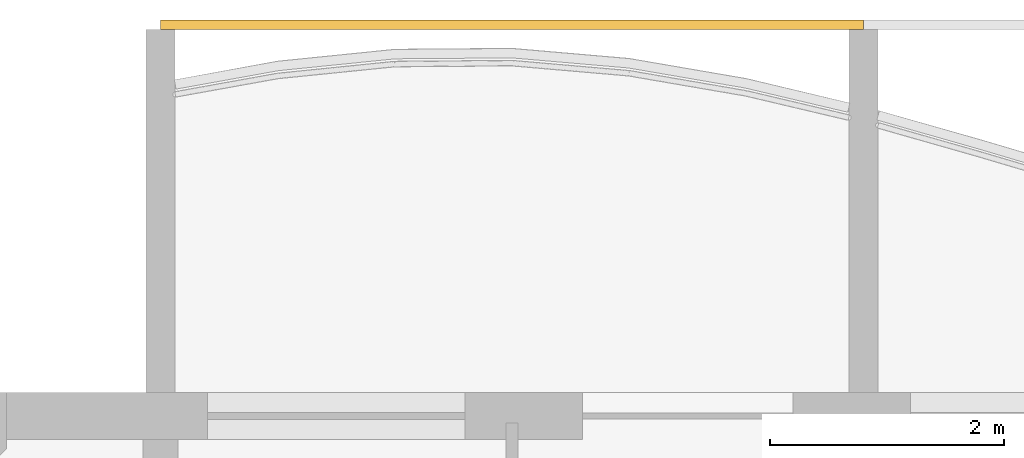
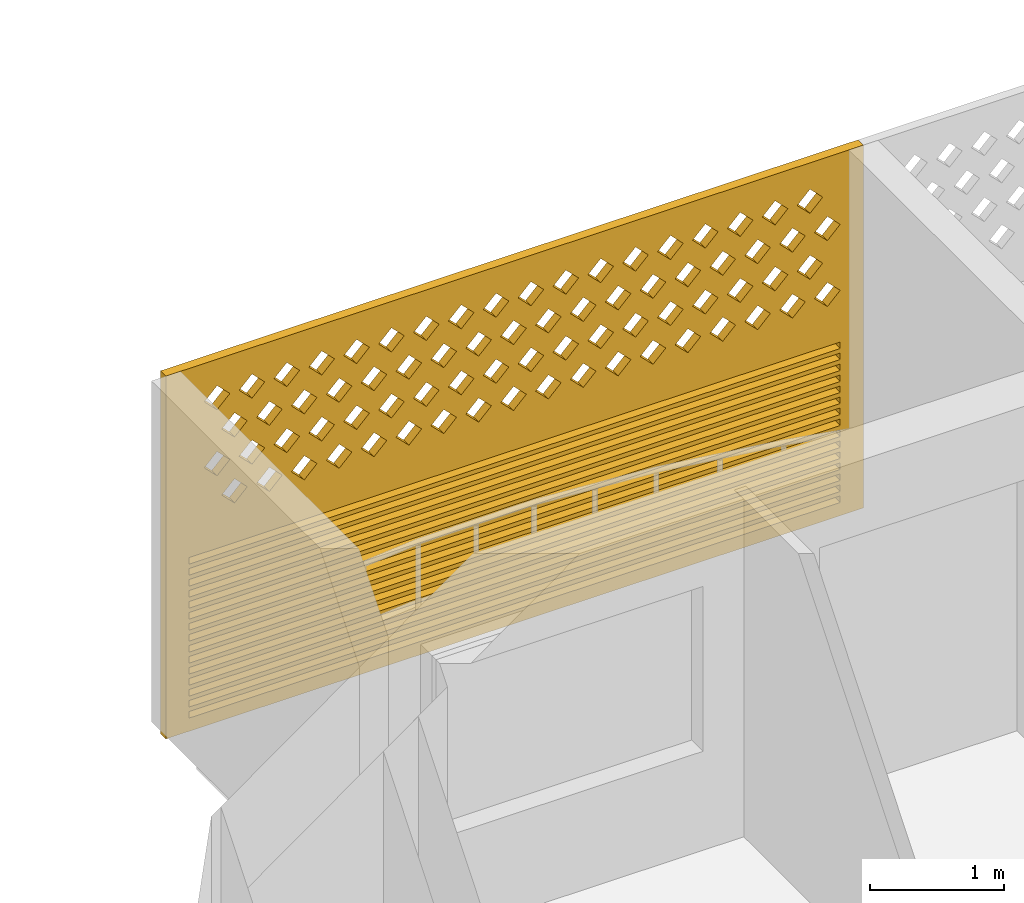
# One storey, part 18 of 32: 1 covering.
"""IFC4 building model written with IfcOpenShell, lengths in metres."""

import ifcopenshell
import ifcopenshell.guid

model = None  # the IFC model being written
_history = None  # IfcOwnerHistory: only IFC2X3 demands one
_inside = {}  # id of a spatial element -> (the spatial element, [elements in it])
_under = {}  # id of a project, library or spatial element -> (it, [spatial elements below it])
_declared = {}  # id of a project -> (the project, [libraries it declares])
_typed = {}  # id of a type object -> (the type object, [elements of that type])
_made_of = {}  # id of a material, layer set ... -> (it, [elements and type objects made of it])


def new_model(schema):
    """Start an empty IFC model of exactly this schema.

    Asked for "IFC4X3", IfcOpenShell would pick the latest addendum, in which some entities
    have other attributes; the version numbers below select the first issue.
    IFC2X3 requires an IfcOwnerHistory on every rooted entity: one is made here for all.
    """
    global model, _history
    if schema == "IFC4X3":
        model = ifcopenshell.file(schema_version=(4, 3, 0, 0))
    else:
        model = ifcopenshell.file(schema=schema)
    _inside.clear()
    _under.clear()
    _declared.clear()
    _typed.clear()
    _made_of.clear()
    _history = None
    if model.schema == "IFC2X3":
        org = make("IfcOrganization", Name="unknown")
        user = make(
            "IfcPersonAndOrganization",
            ThePerson=make("IfcPerson", FamilyName="unknown"),
            TheOrganization=org,
        )
        app = make(
            "IfcApplication",
            ApplicationDeveloper=org,
            Version="unknown",
            ApplicationFullName="unknown",
            ApplicationIdentifier="unknown",
        )
        _history = make(
            "IfcOwnerHistory",
            OwningUser=user,
            OwningApplication=app,
            ChangeAction="ADDED",
            CreationDate=0,
        )
    return model


def make(cls, **values):
    """One entity of the class cls with the attributes given. An attribute that is None is left unset."""
    return model.create_entity(
        cls, **{name: value for name, value in values.items() if value is not None}
    )


def rooted(cls, **values):
    """An entity with a GlobalId (a new one), such as an element, a storey or a relation."""
    return make(cls, GlobalId=ifcopenshell.guid.new(), OwnerHistory=_history, **values)


def si_unit(unit_type, name, prefix=None):
    """IfcSIUnit, for example si_unit("LENGTHUNIT", "METRE", prefix="MILLI")."""
    return make("IfcSIUnit", UnitType=unit_type, Prefix=prefix, Name=name)


def assignment(units):
    """IfcUnitAssignment: the units of a project."""
    return None if units is None else make("IfcUnitAssignment", Units=units)


def point(xyz):
    """IfcCartesianPoint."""
    return None if xyz is None else make("IfcCartesianPoint", Coordinates=xyz)


def direction(xyz):
    """IfcDirection."""
    return None if xyz is None else make("IfcDirection", DirectionRatios=xyz)


def frame(location, z_axis=None, x_axis=None):
    """IfcAxis2Placement3D, a coordinate frame: its origin and axes. An axis left out is left unset."""
    return make(
        "IfcAxis2Placement3D",
        Location=point(location),
        Axis=direction(z_axis),
        RefDirection=direction(x_axis),
    )


def origin():
    """The frame at (0, 0, 0) with its axes left unset."""
    return frame((0.0, 0.0, 0.0))


def place(relative_to, where):
    """IfcLocalPlacement: puts the frame where relative to a parent placement (None: the world)."""
    return make(
        "IfcLocalPlacement", PlacementRelTo=relative_to, RelativePlacement=where
    )


def context(
    kind, dimensions, precision=None, world=None, true_north=None, identifier=None
):
    """IfcGeometricRepresentationContext, for example the 3D "Model" context."""
    return make(
        "IfcGeometricRepresentationContext",
        ContextIdentifier=identifier,
        ContextType=kind,
        CoordinateSpaceDimension=dimensions,
        Precision=precision,
        WorldCoordinateSystem=world,
        TrueNorth=true_north,
    )


def subcontext(parent, identifier, kind, view, scale=None):
    """IfcGeometricRepresentationSubContext, for example "Body" below "Model"."""
    return make(
        "IfcGeometricRepresentationSubContext",
        ContextIdentifier=identifier,
        ContextType=kind,
        ParentContext=parent,
        TargetScale=scale,
        TargetView=view,
    )


def project(units=None, contexts=None):
    """IfcProject with its units and contexts."""
    return rooted(
        "IfcProject",
        Name="project",
        RepresentationContexts=contexts,
        UnitsInContext=assignment(units),
    )


def spatial(cls, under=None, at=None, **own):
    """A site, building, storey or space (cls), placed at a placement, below another one or the project."""
    s = rooted(cls, ObjectPlacement=at, **own)
    if under is not None:
        _under.setdefault(under.id(), (under, []))[1].append(s)
    return s


def polyline(points):
    """IfcPolyline through the points."""
    return make("IfcPolyline", Points=[point(p) for p in points])


def outline(outer, holes=None, kind="AREA"):
    """IfcArbitraryClosedProfileDef: a profile drawn as a closed curve; with holes, ...WithVoids."""
    if holes is None:
        return make("IfcArbitraryClosedProfileDef", ProfileType=kind, OuterCurve=outer)
    return make(
        "IfcArbitraryProfileDefWithVoids",
        ProfileType=kind,
        OuterCurve=outer,
        InnerCurves=holes,
    )


def extrude(swept, where, along, depth):
    """IfcExtrudedAreaSolid: the profile swept, set in the frame where, extruded along a direction by depth."""
    return make(
        "IfcExtrudedAreaSolid",
        SweptArea=swept,
        Position=where,
        ExtrudedDirection=direction(along),
        Depth=depth,
    )


def shape(context_of_items, identifier, shape_type, items):
    """IfcShapeRepresentation: the items that make up one representation, for example the "Body"."""
    return make(
        "IfcShapeRepresentation",
        ContextOfItems=context_of_items,
        RepresentationIdentifier=identifier,
        RepresentationType=shape_type,
        Items=items,
    )


def source(mapping_origin, context_of_items, identifier, shape_type, items):
    """IfcRepresentationMap: a shape defined once, which mapped items show again and again."""
    return make(
        "IfcRepresentationMap",
        MappingOrigin=mapping_origin,
        MappedRepresentation=shape(context_of_items, identifier, shape_type, items),
    )


def transform(
    local_origin,
    x_axis=None,
    y_axis=None,
    z_axis=None,
    scale=None,
    scale2=None,
    scale3=None,
    uniform=True,
):
    """IfcCartesianTransformationOperator3D, or its non-uniform kind. x_axis, y_axis, z_axis: its Axis1, 2, 3."""
    if uniform:
        return make(
            "IfcCartesianTransformationOperator3D",
            Axis1=direction(x_axis),
            Axis2=direction(y_axis),
            LocalOrigin=point(local_origin),
            Scale=scale,
            Axis3=direction(z_axis),
        )
    return make(
        "IfcCartesianTransformationOperator3DnonUniform",
        Axis1=direction(x_axis),
        Axis2=direction(y_axis),
        LocalOrigin=point(local_origin),
        Scale=scale,
        Axis3=direction(z_axis),
        Scale2=scale2,
        Scale3=scale3,
    )


def mapped(mapping_source, mapping_target):
    """IfcMappedItem: shows the shape of a source again, moved by a transform."""
    return make(
        "IfcMappedItem", MappingSource=mapping_source, MappingTarget=mapping_target
    )


def material(Name=None, Category=None):
    """IfcMaterial."""
    return make("IfcMaterial", Name=Name, Category=Category)


def material_profile(
    of_material, cross_section, Name=None, Category=None, Priority=None
):
    """IfcMaterialProfile: a cross section and its material."""
    return make(
        "IfcMaterialProfile",
        Name=Name,
        Material=of_material,
        Profile=cross_section,
        Priority=Priority,
        Category=Category,
    )


def profile_set(profiles, Name=None, composite=None):
    """IfcMaterialProfileSet."""
    return make(
        "IfcMaterialProfileSet",
        Name=Name,
        MaterialProfiles=profiles,
        CompositeProfile=composite,
    )


def made_of(thing, what):
    """Note that an element or type object is made of a material, layer set ...; save() writes the relation."""
    if what is not None:
        _made_of.setdefault(what.id(), (what, []))[1].append(thing)
    return thing


def type_object(cls, material=None, **own):
    """A type object (cls), such as IfcWallType, which elements share."""
    return made_of(rooted(cls, **own), material)


def element(
    cls,
    number,
    at=None,
    inside=None,
    cuts=None,
    type_object=None,
    material=None,
    context=None,
    identifier="Body",
    shape_type=None,
    held_by="IfcProductDefinitionShape",
    body=None,
    shapes=None,
    **own,
):
    """One element of the class cls, such as IfcWall. Its Tag is "e" and its number.

    at: its placement. inside: the storey or other place that contains it. cuts: it is an
    opening in that element (IfcRelVoidsElement). A single representation is given by context,
    identifier, shape_type and body (its items); several are given by shapes. held_by: the class
    of the entity that holds the representations. save() writes the other relations.
    """
    e = rooted(cls, Tag="e%d" % number, ObjectPlacement=at, **own)
    if body is not None:
        shapes = [shape(context, identifier, shape_type, body)]
    if shapes is not None:
        e.Representation = make(held_by, Representations=shapes)
    if inside is not None:
        _inside.setdefault(inside.id(), (inside, []))[1].append(e)
    if cuts is not None:
        rooted(
            "IfcRelVoidsElement", RelatingBuildingElement=cuts, RelatedOpeningElement=e
        )
    if type_object is not None:
        _typed.setdefault(type_object.id(), (type_object, []))[1].append(e)
    return made_of(e, material)


def aggregate(whole, parts):
    """IfcRelAggregates: a whole, such as a stair, and the parts it consists of."""
    return rooted("IfcRelAggregates", RelatingObject=whole, RelatedObjects=parts)


def save(model, path):
    """Write the relations noted so far, then the file.

    IfcRelAggregates (storeys below a building ...), IfcRelContainedInSpatialStructure (elements
    in a storey), IfcRelDefinesByType, IfcRelAssociatesMaterial and IfcRelDeclares: one each for
    every whole, place, type object, material and project.
    """
    for whole, parts in _under.values():
        aggregate(whole, parts)
    for where, things in _inside.values():
        rooted(
            "IfcRelContainedInSpatialStructure",
            RelatedElements=things,
            RelatingStructure=where,
        )
    for kind, things in _typed.values():
        rooted("IfcRelDefinesByType", RelatedObjects=things, RelatingType=kind)
    for what, things in _made_of.values():
        rooted("IfcRelAssociatesMaterial", RelatedObjects=things, RelatingMaterial=what)
    for by, libraries in _declared.values():
        rooted("IfcRelDeclares", RelatingContext=by, RelatedDefinitions=libraries)
    model.write(path)


model = new_model("IFC4")

# Units and contexts
model_context = context("Model", 3, precision=1e-05, world=origin(), true_north=direction((0.0, 1.0)))
body_context = subcontext(model_context, "Body", "Model", "MODEL_VIEW")
ifc_project = project(units=[si_unit("LENGTHUNIT", "METRE"), si_unit("AREAUNIT", "SQUARE_METRE"), si_unit("VOLUMEUNIT", "CUBIC_METRE"), si_unit("PLANEANGLEUNIT", "RADIAN"), si_unit("MASSUNIT", "GRAM", prefix="KILO")], contexts=[model_context])

# Site, building, storey
site_placement = place(None, origin())
site = spatial("IfcSite", under=ifc_project, at=site_placement, CompositionType="ELEMENT")
building_placement = place(site_placement, origin())
building = spatial("IfcBuilding", under=site, at=building_placement, Name="Poui Terraces", CompositionType="ELEMENT")
storey_placement = place(building_placement, frame((0.0, 0.0, 125.699951171875)))
storey = spatial("IfcBuildingStorey", under=building, at=storey_placement, Name="L34", CompositionType="ELEMENT", Elevation=125.699951171875)

# Covering
ifc_material = material(Name="Terracotta screen", Category="masonry")
ifc_material_profile = material_profile(ifc_material, outline(polyline([(-3.0, -1.64990234375), (3.0, -1.64990234375), (3.0, 1.64990234375), (-3.0, 1.64990234375), (-3.0, -1.64990234375)]), holes=[polyline([(-2.800048828125, 0.39990234375), (-2.68994140625, 0.2900390625), (-2.580078125, 0.39990234375), (-2.68994140625, 0.510009765625), (-2.800048828125, 0.39990234375)]), polyline([(-2.5, 0.39990234375), (-2.389892578125, 0.2900390625), (-2.280029296875, 0.39990234375), (-2.389892578125, 0.510009765625), (-2.5, 0.39990234375)]), polyline([(-2.199951171875, 0.39990234375), (-2.090087890625, 0.2900390625), (-1.97998046875, 0.39990234375), (-2.090087890625, 0.510009765625), (-2.199951171875, 0.39990234375)]), polyline([(-1.89990234375, 0.39990234375), (-1.7900390625, 0.2900390625), (-1.679931640625, 0.39990234375), (-1.7900390625, 0.510009765625), (-1.89990234375, 0.39990234375)]), polyline([(-1.60009765625, 0.39990234375), (-1.489990234375, 0.2900390625), (-1.3798828125, 0.39990234375), (-1.489990234375, 0.510009765625), (-1.60009765625, 0.39990234375)]), polyline([(-1.300048828125, 0.39990234375), (-1.18994140625, 0.2900390625), (-1.080078125, 0.39990234375), (-1.18994140625, 0.510009765625), (-1.300048828125, 0.39990234375)]), polyline([(-1.0, 0.39990234375), (-0.889892578125, 0.2900390625), (-0.780029296875, 0.39990234375), (-0.889892578125, 0.510009765625), (-1.0, 0.39990234375)]), polyline([(-0.699951171875, 0.39990234375), (-0.590087890625, 0.2900390625), (-0.47998046875, 0.39990234375), (-0.590087890625, 0.510009765625), (-0.699951171875, 0.39990234375)]), polyline([(-0.39990234375, 0.39990234375), (-0.2900390625, 0.2900390625), (-0.179931640625, 0.39990234375), (-0.2900390625, 0.510009765625), (-0.39990234375, 0.39990234375)]), polyline([(-0.10009765625, 0.39990234375), (0.010009765625, 0.2900390625), (0.1201171875, 0.39990234375), (0.010009765625, 0.510009765625), (-0.10009765625, 0.39990234375)]), polyline([(0.199951171875, 0.39990234375), (0.31005859375, 0.2900390625), (0.419921875, 0.39990234375), (0.31005859375, 0.510009765625), (0.199951171875, 0.39990234375)]), polyline([(0.5, 0.39990234375), (0.610107421875, 0.2900390625), (0.719970703125, 0.39990234375), (0.610107421875, 0.510009765625), (0.5, 0.39990234375)]), polyline([(0.800048828125, 0.39990234375), (0.909912109375, 0.2900390625), (1.02001953125, 0.39990234375), (0.909912109375, 0.510009765625), (0.800048828125, 0.39990234375)]), polyline([(1.10009765625, 0.39990234375), (1.2099609375, 0.2900390625), (1.320068359375, 0.39990234375), (1.2099609375, 0.510009765625), (1.10009765625, 0.39990234375)]), polyline([(1.39990234375, 0.39990234375), (1.510009765625, 0.2900390625), (1.6201171875, 0.39990234375), (1.510009765625, 0.510009765625), (1.39990234375, 0.39990234375)]), polyline([(1.699951171875, 0.39990234375), (1.81005859375, 0.2900390625), (1.919921875, 0.39990234375), (1.81005859375, 0.510009765625), (1.699951171875, 0.39990234375)]), polyline([(2.0, 0.39990234375), (2.110107421875, 0.2900390625), (2.219970703125, 0.39990234375), (2.110107421875, 0.510009765625), (2.0, 0.39990234375)]), polyline([(2.300048828125, 0.39990234375), (2.409912109375, 0.2900390625), (2.52001953125, 0.39990234375), (2.409912109375, 0.510009765625), (2.300048828125, 0.39990234375)]), polyline([(-2.64990234375, 0.699951171875), (-2.5400390625, 0.590087890625), (-2.429931640625, 0.699951171875), (-2.5400390625, 0.81005859375), (-2.64990234375, 0.699951171875)]), polyline([(-2.35009765625, 0.699951171875), (-2.239990234375, 0.590087890625), (-2.1298828125, 0.699951171875), (-2.239990234375, 0.81005859375), (-2.35009765625, 0.699951171875)]), polyline([(-2.050048828125, 0.699951171875), (-1.93994140625, 0.590087890625), (-1.830078125, 0.699951171875), (-1.93994140625, 0.81005859375), (-2.050048828125, 0.699951171875)]), polyline([(-1.75, 0.699951171875), (-1.639892578125, 0.590087890625), (-1.530029296875, 0.699951171875), (-1.639892578125, 0.81005859375), (-1.75, 0.699951171875)]), polyline([(-1.449951171875, 0.699951171875), (-1.340087890625, 0.590087890625), (-1.22998046875, 0.699951171875), (-1.340087890625, 0.81005859375), (-1.449951171875, 0.699951171875)]), polyline([(-1.14990234375, 0.699951171875), (-1.0400390625, 0.590087890625), (-0.929931640625, 0.699951171875), (-1.0400390625, 0.81005859375), (-1.14990234375, 0.699951171875)]), polyline([(-0.85009765625, 0.699951171875), (-0.739990234375, 0.590087890625), (-0.6298828125, 0.699951171875), (-0.739990234375, 0.81005859375), (-0.85009765625, 0.699951171875)]), polyline([(-0.550048828125, 0.699951171875), (-0.43994140625, 0.590087890625), (-0.330078125, 0.699951171875), (-0.43994140625, 0.81005859375), (-0.550048828125, 0.699951171875)]), polyline([(-0.25, 0.699951171875), (-0.139892578125, 0.590087890625), (-0.030029296875, 0.699951171875), (-0.139892578125, 0.81005859375), (-0.25, 0.699951171875)]), polyline([(0.050048828125, 0.699951171875), (0.159912109375, 0.590087890625), (0.27001953125, 0.699951171875), (0.159912109375, 0.81005859375), (0.050048828125, 0.699951171875)]), polyline([(0.35009765625, 0.699951171875), (0.4599609375, 0.590087890625), (0.570068359375, 0.699951171875), (0.4599609375, 0.81005859375), (0.35009765625, 0.699951171875)]), polyline([(0.64990234375, 0.699951171875), (0.760009765625, 0.590087890625), (0.8701171875, 0.699951171875), (0.760009765625, 0.81005859375), (0.64990234375, 0.699951171875)]), polyline([(0.949951171875, 0.699951171875), (1.06005859375, 0.590087890625), (1.169921875, 0.699951171875), (1.06005859375, 0.81005859375), (0.949951171875, 0.699951171875)]), polyline([(1.25, 0.699951171875), (1.360107421875, 0.590087890625), (1.469970703125, 0.699951171875), (1.360107421875, 0.81005859375), (1.25, 0.699951171875)]), polyline([(1.550048828125, 0.699951171875), (1.659912109375, 0.590087890625), (1.77001953125, 0.699951171875), (1.659912109375, 0.81005859375), (1.550048828125, 0.699951171875)]), polyline([(1.85009765625, 0.699951171875), (1.9599609375, 0.590087890625), (2.070068359375, 0.699951171875), (1.9599609375, 0.81005859375), (1.85009765625, 0.699951171875)]), polyline([(2.14990234375, 0.699951171875), (2.260009765625, 0.590087890625), (2.3701171875, 0.699951171875), (2.260009765625, 0.81005859375), (2.14990234375, 0.699951171875)]), polyline([(2.449951171875, 0.699951171875), (2.56005859375, 0.590087890625), (2.669921875, 0.699951171875), (2.56005859375, 0.81005859375), (2.449951171875, 0.699951171875)]), polyline([(-2.800048828125, 1.0), (-2.68994140625, 0.889892578125), (-2.580078125, 1.0), (-2.68994140625, 1.110107421875), (-2.800048828125, 1.0)]), polyline([(-2.5, 1.0), (-2.389892578125, 0.889892578125), (-2.280029296875, 1.0), (-2.389892578125, 1.110107421875), (-2.5, 1.0)]), polyline([(-2.199951171875, 1.0), (-2.090087890625, 0.889892578125), (-1.97998046875, 1.0), (-2.090087890625, 1.110107421875), (-2.199951171875, 1.0)]), polyline([(-1.89990234375, 1.0), (-1.7900390625, 0.889892578125), (-1.679931640625, 1.0), (-1.7900390625, 1.110107421875), (-1.89990234375, 1.0)]), polyline([(-1.60009765625, 1.0), (-1.489990234375, 0.889892578125), (-1.3798828125, 1.0), (-1.489990234375, 1.110107421875), (-1.60009765625, 1.0)]), polyline([(-1.300048828125, 1.0), (-1.18994140625, 0.889892578125), (-1.080078125, 1.0), (-1.18994140625, 1.110107421875), (-1.300048828125, 1.0)]), polyline([(-1.0, 1.0), (-0.889892578125, 0.889892578125), (-0.780029296875, 1.0), (-0.889892578125, 1.110107421875), (-1.0, 1.0)]), polyline([(-0.699951171875, 1.0), (-0.590087890625, 0.889892578125), (-0.47998046875, 1.0), (-0.590087890625, 1.110107421875), (-0.699951171875, 1.0)]), polyline([(-0.39990234375, 1.0), (-0.2900390625, 0.889892578125), (-0.179931640625, 1.0), (-0.2900390625, 1.110107421875), (-0.39990234375, 1.0)]), polyline([(-0.10009765625, 1.0), (0.010009765625, 0.889892578125), (0.1201171875, 1.0), (0.010009765625, 1.110107421875), (-0.10009765625, 1.0)]), polyline([(0.199951171875, 1.0), (0.31005859375, 0.889892578125), (0.419921875, 1.0), (0.31005859375, 1.110107421875), (0.199951171875, 1.0)]), polyline([(0.5, 1.0), (0.610107421875, 0.889892578125), (0.719970703125, 1.0), (0.610107421875, 1.110107421875), (0.5, 1.0)]), polyline([(0.800048828125, 1.0), (0.909912109375, 0.889892578125), (1.02001953125, 1.0), (0.909912109375, 1.110107421875), (0.800048828125, 1.0)]), polyline([(1.10009765625, 1.0), (1.2099609375, 0.889892578125), (1.320068359375, 1.0), (1.2099609375, 1.110107421875), (1.10009765625, 1.0)]), polyline([(1.39990234375, 1.0), (1.510009765625, 0.889892578125), (1.6201171875, 1.0), (1.510009765625, 1.110107421875), (1.39990234375, 1.0)]), polyline([(1.699951171875, 1.0), (1.81005859375, 0.889892578125), (1.919921875, 1.0), (1.81005859375, 1.110107421875), (1.699951171875, 1.0)]), polyline([(2.0, 1.0), (2.110107421875, 0.889892578125), (2.219970703125, 1.0), (2.110107421875, 1.110107421875), (2.0, 1.0)]), polyline([(2.300048828125, 1.0), (2.409912109375, 0.889892578125), (2.52001953125, 1.0), (2.409912109375, 1.110107421875), (2.300048828125, 1.0)]), polyline([(-2.64990234375, 1.300048828125), (-2.5400390625, 1.18994140625), (-2.429931640625, 1.300048828125), (-2.5400390625, 1.409912109375), (-2.64990234375, 1.300048828125)]), polyline([(-2.35009765625, 1.300048828125), (-2.239990234375, 1.18994140625), (-2.1298828125, 1.300048828125), (-2.239990234375, 1.409912109375), (-2.35009765625, 1.300048828125)]), polyline([(-2.050048828125, 1.300048828125), (-1.93994140625, 1.18994140625), (-1.830078125, 1.300048828125), (-1.93994140625, 1.409912109375), (-2.050048828125, 1.300048828125)]), polyline([(-1.75, 1.300048828125), (-1.639892578125, 1.18994140625), (-1.530029296875, 1.300048828125), (-1.639892578125, 1.409912109375), (-1.75, 1.300048828125)]), polyline([(-1.449951171875, 1.300048828125), (-1.340087890625, 1.18994140625), (-1.22998046875, 1.300048828125), (-1.340087890625, 1.409912109375), (-1.449951171875, 1.300048828125)]), polyline([(-1.14990234375, 1.300048828125), (-1.0400390625, 1.18994140625), (-0.929931640625, 1.300048828125), (-1.0400390625, 1.409912109375), (-1.14990234375, 1.300048828125)]), polyline([(-0.85009765625, 1.300048828125), (-0.739990234375, 1.18994140625), (-0.6298828125, 1.300048828125), (-0.739990234375, 1.409912109375), (-0.85009765625, 1.300048828125)]), polyline([(-0.550048828125, 1.300048828125), (-0.43994140625, 1.18994140625), (-0.330078125, 1.300048828125), (-0.43994140625, 1.409912109375), (-0.550048828125, 1.300048828125)]), polyline([(-0.25, 1.300048828125), (-0.139892578125, 1.18994140625), (-0.030029296875, 1.300048828125), (-0.139892578125, 1.409912109375), (-0.25, 1.300048828125)]), polyline([(0.050048828125, 1.300048828125), (0.159912109375, 1.18994140625), (0.27001953125, 1.300048828125), (0.159912109375, 1.409912109375), (0.050048828125, 1.300048828125)]), polyline([(0.35009765625, 1.300048828125), (0.4599609375, 1.18994140625), (0.570068359375, 1.300048828125), (0.4599609375, 1.409912109375), (0.35009765625, 1.300048828125)]), polyline([(0.64990234375, 1.300048828125), (0.760009765625, 1.18994140625), (0.8701171875, 1.300048828125), (0.760009765625, 1.409912109375), (0.64990234375, 1.300048828125)]), polyline([(0.949951171875, 1.300048828125), (1.06005859375, 1.18994140625), (1.169921875, 1.300048828125), (1.06005859375, 1.409912109375), (0.949951171875, 1.300048828125)]), polyline([(1.25, 1.300048828125), (1.360107421875, 1.18994140625), (1.469970703125, 1.300048828125), (1.360107421875, 1.409912109375), (1.25, 1.300048828125)]), polyline([(1.550048828125, 1.300048828125), (1.659912109375, 1.18994140625), (1.77001953125, 1.300048828125), (1.659912109375, 1.409912109375), (1.550048828125, 1.300048828125)]), polyline([(1.85009765625, 1.300048828125), (1.9599609375, 1.18994140625), (2.070068359375, 1.300048828125), (1.9599609375, 1.409912109375), (1.85009765625, 1.300048828125)]), polyline([(2.14990234375, 1.300048828125), (2.260009765625, 1.18994140625), (2.3701171875, 1.300048828125), (2.260009765625, 1.409912109375), (2.14990234375, 1.300048828125)]), polyline([(2.449951171875, 1.300048828125), (2.56005859375, 1.18994140625), (2.669921875, 1.300048828125), (2.56005859375, 1.409912109375), (2.449951171875, 1.300048828125)]), polyline([(-2.800048828125, -1.530029296875), (2.800048828125, -1.530029296875), (2.800048828125, -1.469970703125), (-2.800048828125, -1.469970703125), (-2.800048828125, -1.530029296875)]), polyline([(-2.800048828125, -1.429931640625), (2.800048828125, -1.429931640625), (2.800048828125, -1.3701171875), (-2.800048828125, -1.3701171875), (-2.800048828125, -1.429931640625)]), polyline([(-2.800048828125, -1.330078125), (2.800048828125, -1.330078125), (2.800048828125, -1.27001953125), (-2.800048828125, -1.27001953125), (-2.800048828125, -1.330078125)]), polyline([(-2.800048828125, -1.22998046875), (2.800048828125, -1.22998046875), (2.800048828125, -1.169921875), (-2.800048828125, -1.169921875), (-2.800048828125, -1.22998046875)]), polyline([(-2.800048828125, -1.1298828125), (2.800048828125, -1.1298828125), (2.800048828125, -1.070068359375), (-2.800048828125, -1.070068359375), (-2.800048828125, -1.1298828125)]), polyline([(-2.800048828125, -1.030029296875), (2.800048828125, -1.030029296875), (2.800048828125, -0.969970703125), (-2.800048828125, -0.969970703125), (-2.800048828125, -1.030029296875)]), polyline([(-2.800048828125, -0.929931640625), (2.800048828125, -0.929931640625), (2.800048828125, -0.8701171875), (-2.800048828125, -0.8701171875), (-2.800048828125, -0.929931640625)]), polyline([(-2.800048828125, -0.830078125), (2.800048828125, -0.830078125), (2.800048828125, -0.77001953125), (-2.800048828125, -0.77001953125), (-2.800048828125, -0.830078125)]), polyline([(-2.800048828125, -0.72998046875), (2.800048828125, -0.72998046875), (2.800048828125, -0.669921875), (-2.800048828125, -0.669921875), (-2.800048828125, -0.72998046875)]), polyline([(-2.800048828125, -0.6298828125), (2.800048828125, -0.6298828125), (2.800048828125, -0.570068359375), (-2.800048828125, -0.570068359375), (-2.800048828125, -0.6298828125)]), polyline([(-2.800048828125, -0.530029296875), (2.800048828125, -0.530029296875), (2.800048828125, -0.469970703125), (-2.800048828125, -0.469970703125), (-2.800048828125, -0.530029296875)]), polyline([(-2.800048828125, -0.429931640625), (2.800048828125, -0.429931640625), (2.800048828125, -0.3701171875), (-2.800048828125, -0.3701171875), (-2.800048828125, -0.429931640625)]), polyline([(-2.800048828125, -0.330078125), (2.800048828125, -0.330078125), (2.800048828125, -0.27001953125), (-2.800048828125, -0.27001953125), (-2.800048828125, -0.330078125)]), polyline([(-2.800048828125, -0.22998046875), (2.800048828125, -0.22998046875), (2.800048828125, -0.169921875), (-2.800048828125, -0.169921875), (-2.800048828125, -0.22998046875)]), polyline([(-2.800048828125, -0.1298828125), (2.800048828125, -0.1298828125), (2.800048828125, -0.070068359375), (-2.800048828125, -0.070068359375), (-2.800048828125, -0.1298828125)])]), Name="TERRACOTTA SCREEN AND JALOUSIE LOUVRE 6000X3300")
ifc_profile_set = profile_set([ifc_material_profile], Name="Terracotta screen")
covering_type = type_object("IfcCoveringType", Name="TERRACOTTA SCREEN AND JALOUSIE LOUVRE 6000X3300", PredefinedType="CLADDING", material=ifc_profile_set)
shared_shape = source(origin(), body_context, "Body", "SweptSolid", [
    extrude(outline(polyline([(-3.0, -1.64990234375), (3.0, -1.64990234375), (3.0, 1.64990234375), (-3.0, 1.64990234375), (-3.0, -1.64990234375)]), holes=[polyline([(-2.800048828125, 0.39990234375), (-2.68994140625, 0.2900390625), (-2.580078125, 0.39990234375), (-2.68994140625, 0.510009765625), (-2.800048828125, 0.39990234375)]), polyline([(-2.5, 0.39990234375), (-2.389892578125, 0.2900390625), (-2.280029296875, 0.39990234375), (-2.389892578125, 0.510009765625), (-2.5, 0.39990234375)]), polyline([(-2.199951171875, 0.39990234375), (-2.090087890625, 0.2900390625), (-1.97998046875, 0.39990234375), (-2.090087890625, 0.510009765625), (-2.199951171875, 0.39990234375)]), polyline([(-1.89990234375, 0.39990234375), (-1.7900390625, 0.2900390625), (-1.679931640625, 0.39990234375), (-1.7900390625, 0.510009765625), (-1.89990234375, 0.39990234375)]), polyline([(-1.60009765625, 0.39990234375), (-1.489990234375, 0.2900390625), (-1.3798828125, 0.39990234375), (-1.489990234375, 0.510009765625), (-1.60009765625, 0.39990234375)]), polyline([(-1.300048828125, 0.39990234375), (-1.18994140625, 0.2900390625), (-1.080078125, 0.39990234375), (-1.18994140625, 0.510009765625), (-1.300048828125, 0.39990234375)]), polyline([(-1.0, 0.39990234375), (-0.889892578125, 0.2900390625), (-0.780029296875, 0.39990234375), (-0.889892578125, 0.510009765625), (-1.0, 0.39990234375)]), polyline([(-0.699951171875, 0.39990234375), (-0.590087890625, 0.2900390625), (-0.47998046875, 0.39990234375), (-0.590087890625, 0.510009765625), (-0.699951171875, 0.39990234375)]), polyline([(-0.39990234375, 0.39990234375), (-0.2900390625, 0.2900390625), (-0.179931640625, 0.39990234375), (-0.2900390625, 0.510009765625), (-0.39990234375, 0.39990234375)]), polyline([(-0.10009765625, 0.39990234375), (0.010009765625, 0.2900390625), (0.1201171875, 0.39990234375), (0.010009765625, 0.510009765625), (-0.10009765625, 0.39990234375)]), polyline([(0.199951171875, 0.39990234375), (0.31005859375, 0.2900390625), (0.419921875, 0.39990234375), (0.31005859375, 0.510009765625), (0.199951171875, 0.39990234375)]), polyline([(0.5, 0.39990234375), (0.610107421875, 0.2900390625), (0.719970703125, 0.39990234375), (0.610107421875, 0.510009765625), (0.5, 0.39990234375)]), polyline([(0.800048828125, 0.39990234375), (0.909912109375, 0.2900390625), (1.02001953125, 0.39990234375), (0.909912109375, 0.510009765625), (0.800048828125, 0.39990234375)]), polyline([(1.10009765625, 0.39990234375), (1.2099609375, 0.2900390625), (1.320068359375, 0.39990234375), (1.2099609375, 0.510009765625), (1.10009765625, 0.39990234375)]), polyline([(1.39990234375, 0.39990234375), (1.510009765625, 0.2900390625), (1.6201171875, 0.39990234375), (1.510009765625, 0.510009765625), (1.39990234375, 0.39990234375)]), polyline([(1.699951171875, 0.39990234375), (1.81005859375, 0.2900390625), (1.919921875, 0.39990234375), (1.81005859375, 0.510009765625), (1.699951171875, 0.39990234375)]), polyline([(2.0, 0.39990234375), (2.110107421875, 0.2900390625), (2.219970703125, 0.39990234375), (2.110107421875, 0.510009765625), (2.0, 0.39990234375)]), polyline([(2.300048828125, 0.39990234375), (2.409912109375, 0.2900390625), (2.52001953125, 0.39990234375), (2.409912109375, 0.510009765625), (2.300048828125, 0.39990234375)]), polyline([(-2.64990234375, 0.699951171875), (-2.5400390625, 0.590087890625), (-2.429931640625, 0.699951171875), (-2.5400390625, 0.81005859375), (-2.64990234375, 0.699951171875)]), polyline([(-2.35009765625, 0.699951171875), (-2.239990234375, 0.590087890625), (-2.1298828125, 0.699951171875), (-2.239990234375, 0.81005859375), (-2.35009765625, 0.699951171875)]), polyline([(-2.050048828125, 0.699951171875), (-1.93994140625, 0.590087890625), (-1.830078125, 0.699951171875), (-1.93994140625, 0.81005859375), (-2.050048828125, 0.699951171875)]), polyline([(-1.75, 0.699951171875), (-1.639892578125, 0.590087890625), (-1.530029296875, 0.699951171875), (-1.639892578125, 0.81005859375), (-1.75, 0.699951171875)]), polyline([(-1.449951171875, 0.699951171875), (-1.340087890625, 0.590087890625), (-1.22998046875, 0.699951171875), (-1.340087890625, 0.81005859375), (-1.449951171875, 0.699951171875)]), polyline([(-1.14990234375, 0.699951171875), (-1.0400390625, 0.590087890625), (-0.929931640625, 0.699951171875), (-1.0400390625, 0.81005859375), (-1.14990234375, 0.699951171875)]), polyline([(-0.85009765625, 0.699951171875), (-0.739990234375, 0.590087890625), (-0.6298828125, 0.699951171875), (-0.739990234375, 0.81005859375), (-0.85009765625, 0.699951171875)]), polyline([(-0.550048828125, 0.699951171875), (-0.43994140625, 0.590087890625), (-0.330078125, 0.699951171875), (-0.43994140625, 0.81005859375), (-0.550048828125, 0.699951171875)]), polyline([(-0.25, 0.699951171875), (-0.139892578125, 0.590087890625), (-0.030029296875, 0.699951171875), (-0.139892578125, 0.81005859375), (-0.25, 0.699951171875)]), polyline([(0.050048828125, 0.699951171875), (0.159912109375, 0.590087890625), (0.27001953125, 0.699951171875), (0.159912109375, 0.81005859375), (0.050048828125, 0.699951171875)]), polyline([(0.35009765625, 0.699951171875), (0.4599609375, 0.590087890625), (0.570068359375, 0.699951171875), (0.4599609375, 0.81005859375), (0.35009765625, 0.699951171875)]), polyline([(0.64990234375, 0.699951171875), (0.760009765625, 0.590087890625), (0.8701171875, 0.699951171875), (0.760009765625, 0.81005859375), (0.64990234375, 0.699951171875)]), polyline([(0.949951171875, 0.699951171875), (1.06005859375, 0.590087890625), (1.169921875, 0.699951171875), (1.06005859375, 0.81005859375), (0.949951171875, 0.699951171875)]), polyline([(1.25, 0.699951171875), (1.360107421875, 0.590087890625), (1.469970703125, 0.699951171875), (1.360107421875, 0.81005859375), (1.25, 0.699951171875)]), polyline([(1.550048828125, 0.699951171875), (1.659912109375, 0.590087890625), (1.77001953125, 0.699951171875), (1.659912109375, 0.81005859375), (1.550048828125, 0.699951171875)]), polyline([(1.85009765625, 0.699951171875), (1.9599609375, 0.590087890625), (2.070068359375, 0.699951171875), (1.9599609375, 0.81005859375), (1.85009765625, 0.699951171875)]), polyline([(2.14990234375, 0.699951171875), (2.260009765625, 0.590087890625), (2.3701171875, 0.699951171875), (2.260009765625, 0.81005859375), (2.14990234375, 0.699951171875)]), polyline([(2.449951171875, 0.699951171875), (2.56005859375, 0.590087890625), (2.669921875, 0.699951171875), (2.56005859375, 0.81005859375), (2.449951171875, 0.699951171875)]), polyline([(-2.800048828125, 1.0), (-2.68994140625, 0.889892578125), (-2.580078125, 1.0), (-2.68994140625, 1.110107421875), (-2.800048828125, 1.0)]), polyline([(-2.5, 1.0), (-2.389892578125, 0.889892578125), (-2.280029296875, 1.0), (-2.389892578125, 1.110107421875), (-2.5, 1.0)]), polyline([(-2.199951171875, 1.0), (-2.090087890625, 0.889892578125), (-1.97998046875, 1.0), (-2.090087890625, 1.110107421875), (-2.199951171875, 1.0)]), polyline([(-1.89990234375, 1.0), (-1.7900390625, 0.889892578125), (-1.679931640625, 1.0), (-1.7900390625, 1.110107421875), (-1.89990234375, 1.0)]), polyline([(-1.60009765625, 1.0), (-1.489990234375, 0.889892578125), (-1.3798828125, 1.0), (-1.489990234375, 1.110107421875), (-1.60009765625, 1.0)]), polyline([(-1.300048828125, 1.0), (-1.18994140625, 0.889892578125), (-1.080078125, 1.0), (-1.18994140625, 1.110107421875), (-1.300048828125, 1.0)]), polyline([(-1.0, 1.0), (-0.889892578125, 0.889892578125), (-0.780029296875, 1.0), (-0.889892578125, 1.110107421875), (-1.0, 1.0)]), polyline([(-0.699951171875, 1.0), (-0.590087890625, 0.889892578125), (-0.47998046875, 1.0), (-0.590087890625, 1.110107421875), (-0.699951171875, 1.0)]), polyline([(-0.39990234375, 1.0), (-0.2900390625, 0.889892578125), (-0.179931640625, 1.0), (-0.2900390625, 1.110107421875), (-0.39990234375, 1.0)]), polyline([(-0.10009765625, 1.0), (0.010009765625, 0.889892578125), (0.1201171875, 1.0), (0.010009765625, 1.110107421875), (-0.10009765625, 1.0)]), polyline([(0.199951171875, 1.0), (0.31005859375, 0.889892578125), (0.419921875, 1.0), (0.31005859375, 1.110107421875), (0.199951171875, 1.0)]), polyline([(0.5, 1.0), (0.610107421875, 0.889892578125), (0.719970703125, 1.0), (0.610107421875, 1.110107421875), (0.5, 1.0)]), polyline([(0.800048828125, 1.0), (0.909912109375, 0.889892578125), (1.02001953125, 1.0), (0.909912109375, 1.110107421875), (0.800048828125, 1.0)]), polyline([(1.10009765625, 1.0), (1.2099609375, 0.889892578125), (1.320068359375, 1.0), (1.2099609375, 1.110107421875), (1.10009765625, 1.0)]), polyline([(1.39990234375, 1.0), (1.510009765625, 0.889892578125), (1.6201171875, 1.0), (1.510009765625, 1.110107421875), (1.39990234375, 1.0)]), polyline([(1.699951171875, 1.0), (1.81005859375, 0.889892578125), (1.919921875, 1.0), (1.81005859375, 1.110107421875), (1.699951171875, 1.0)]), polyline([(2.0, 1.0), (2.110107421875, 0.889892578125), (2.219970703125, 1.0), (2.110107421875, 1.110107421875), (2.0, 1.0)]), polyline([(2.300048828125, 1.0), (2.409912109375, 0.889892578125), (2.52001953125, 1.0), (2.409912109375, 1.110107421875), (2.300048828125, 1.0)]), polyline([(-2.64990234375, 1.300048828125), (-2.5400390625, 1.18994140625), (-2.429931640625, 1.300048828125), (-2.5400390625, 1.409912109375), (-2.64990234375, 1.300048828125)]), polyline([(-2.35009765625, 1.300048828125), (-2.239990234375, 1.18994140625), (-2.1298828125, 1.300048828125), (-2.239990234375, 1.409912109375), (-2.35009765625, 1.300048828125)]), polyline([(-2.050048828125, 1.300048828125), (-1.93994140625, 1.18994140625), (-1.830078125, 1.300048828125), (-1.93994140625, 1.409912109375), (-2.050048828125, 1.300048828125)]), polyline([(-1.75, 1.300048828125), (-1.639892578125, 1.18994140625), (-1.530029296875, 1.300048828125), (-1.639892578125, 1.409912109375), (-1.75, 1.300048828125)]), polyline([(-1.449951171875, 1.300048828125), (-1.340087890625, 1.18994140625), (-1.22998046875, 1.300048828125), (-1.340087890625, 1.409912109375), (-1.449951171875, 1.300048828125)]), polyline([(-1.14990234375, 1.300048828125), (-1.0400390625, 1.18994140625), (-0.929931640625, 1.300048828125), (-1.0400390625, 1.409912109375), (-1.14990234375, 1.300048828125)]), polyline([(-0.85009765625, 1.300048828125), (-0.739990234375, 1.18994140625), (-0.6298828125, 1.300048828125), (-0.739990234375, 1.409912109375), (-0.85009765625, 1.300048828125)]), polyline([(-0.550048828125, 1.300048828125), (-0.43994140625, 1.18994140625), (-0.330078125, 1.300048828125), (-0.43994140625, 1.409912109375), (-0.550048828125, 1.300048828125)]), polyline([(-0.25, 1.300048828125), (-0.139892578125, 1.18994140625), (-0.030029296875, 1.300048828125), (-0.139892578125, 1.409912109375), (-0.25, 1.300048828125)]), polyline([(0.050048828125, 1.300048828125), (0.159912109375, 1.18994140625), (0.27001953125, 1.300048828125), (0.159912109375, 1.409912109375), (0.050048828125, 1.300048828125)]), polyline([(0.35009765625, 1.300048828125), (0.4599609375, 1.18994140625), (0.570068359375, 1.300048828125), (0.4599609375, 1.409912109375), (0.35009765625, 1.300048828125)]), polyline([(0.64990234375, 1.300048828125), (0.760009765625, 1.18994140625), (0.8701171875, 1.300048828125), (0.760009765625, 1.409912109375), (0.64990234375, 1.300048828125)]), polyline([(0.949951171875, 1.300048828125), (1.06005859375, 1.18994140625), (1.169921875, 1.300048828125), (1.06005859375, 1.409912109375), (0.949951171875, 1.300048828125)]), polyline([(1.25, 1.300048828125), (1.360107421875, 1.18994140625), (1.469970703125, 1.300048828125), (1.360107421875, 1.409912109375), (1.25, 1.300048828125)]), polyline([(1.550048828125, 1.300048828125), (1.659912109375, 1.18994140625), (1.77001953125, 1.300048828125), (1.659912109375, 1.409912109375), (1.550048828125, 1.300048828125)]), polyline([(1.85009765625, 1.300048828125), (1.9599609375, 1.18994140625), (2.070068359375, 1.300048828125), (1.9599609375, 1.409912109375), (1.85009765625, 1.300048828125)]), polyline([(2.14990234375, 1.300048828125), (2.260009765625, 1.18994140625), (2.3701171875, 1.300048828125), (2.260009765625, 1.409912109375), (2.14990234375, 1.300048828125)]), polyline([(2.449951171875, 1.300048828125), (2.56005859375, 1.18994140625), (2.669921875, 1.300048828125), (2.56005859375, 1.409912109375), (2.449951171875, 1.300048828125)]), polyline([(-2.800048828125, -1.530029296875), (2.800048828125, -1.530029296875), (2.800048828125, -1.469970703125), (-2.800048828125, -1.469970703125), (-2.800048828125, -1.530029296875)]), polyline([(-2.800048828125, -1.429931640625), (2.800048828125, -1.429931640625), (2.800048828125, -1.3701171875), (-2.800048828125, -1.3701171875), (-2.800048828125, -1.429931640625)]), polyline([(-2.800048828125, -1.330078125), (2.800048828125, -1.330078125), (2.800048828125, -1.27001953125), (-2.800048828125, -1.27001953125), (-2.800048828125, -1.330078125)]), polyline([(-2.800048828125, -1.22998046875), (2.800048828125, -1.22998046875), (2.800048828125, -1.169921875), (-2.800048828125, -1.169921875), (-2.800048828125, -1.22998046875)]), polyline([(-2.800048828125, -1.1298828125), (2.800048828125, -1.1298828125), (2.800048828125, -1.070068359375), (-2.800048828125, -1.070068359375), (-2.800048828125, -1.1298828125)]), polyline([(-2.800048828125, -1.030029296875), (2.800048828125, -1.030029296875), (2.800048828125, -0.969970703125), (-2.800048828125, -0.969970703125), (-2.800048828125, -1.030029296875)]), polyline([(-2.800048828125, -0.929931640625), (2.800048828125, -0.929931640625), (2.800048828125, -0.8701171875), (-2.800048828125, -0.8701171875), (-2.800048828125, -0.929931640625)]), polyline([(-2.800048828125, -0.830078125), (2.800048828125, -0.830078125), (2.800048828125, -0.77001953125), (-2.800048828125, -0.77001953125), (-2.800048828125, -0.830078125)]), polyline([(-2.800048828125, -0.72998046875), (2.800048828125, -0.72998046875), (2.800048828125, -0.669921875), (-2.800048828125, -0.669921875), (-2.800048828125, -0.72998046875)]), polyline([(-2.800048828125, -0.6298828125), (2.800048828125, -0.6298828125), (2.800048828125, -0.570068359375), (-2.800048828125, -0.570068359375), (-2.800048828125, -0.6298828125)]), polyline([(-2.800048828125, -0.530029296875), (2.800048828125, -0.530029296875), (2.800048828125, -0.469970703125), (-2.800048828125, -0.469970703125), (-2.800048828125, -0.530029296875)]), polyline([(-2.800048828125, -0.429931640625), (2.800048828125, -0.429931640625), (2.800048828125, -0.3701171875), (-2.800048828125, -0.3701171875), (-2.800048828125, -0.429931640625)]), polyline([(-2.800048828125, -0.330078125), (2.800048828125, -0.330078125), (2.800048828125, -0.27001953125), (-2.800048828125, -0.27001953125), (-2.800048828125, -0.330078125)]), polyline([(-2.800048828125, -0.22998046875), (2.800048828125, -0.22998046875), (2.800048828125, -0.169921875), (-2.800048828125, -0.169921875), (-2.800048828125, -0.22998046875)]), polyline([(-2.800048828125, -0.1298828125), (2.800048828125, -0.1298828125), (2.800048828125, -0.070068359375), (-2.800048828125, -0.070068359375), (-2.800048828125, -0.1298828125)])]), origin(), (0.0, 0.0, 1.0), 0.080078125),
])
covering_placement = place(storey_placement, frame((21.0, 45.699951171875, 1.449951171875), z_axis=(0.0, 1.0, 0.0), x_axis=(-1.0, 0.0, 0.0)))
element("IfcCovering", 1, at=covering_placement, inside=storey, type_object=covering_type, Name="SOLAR SCREEN AND JALOUSIE LOUVRE", PredefinedType="CLADDING", context=body_context, shape_type="MappedRepresentation", body=[
    mapped(shared_shape, transform((0.0, 0.0, 0.0))),
])

save(model, "model.ifc")
